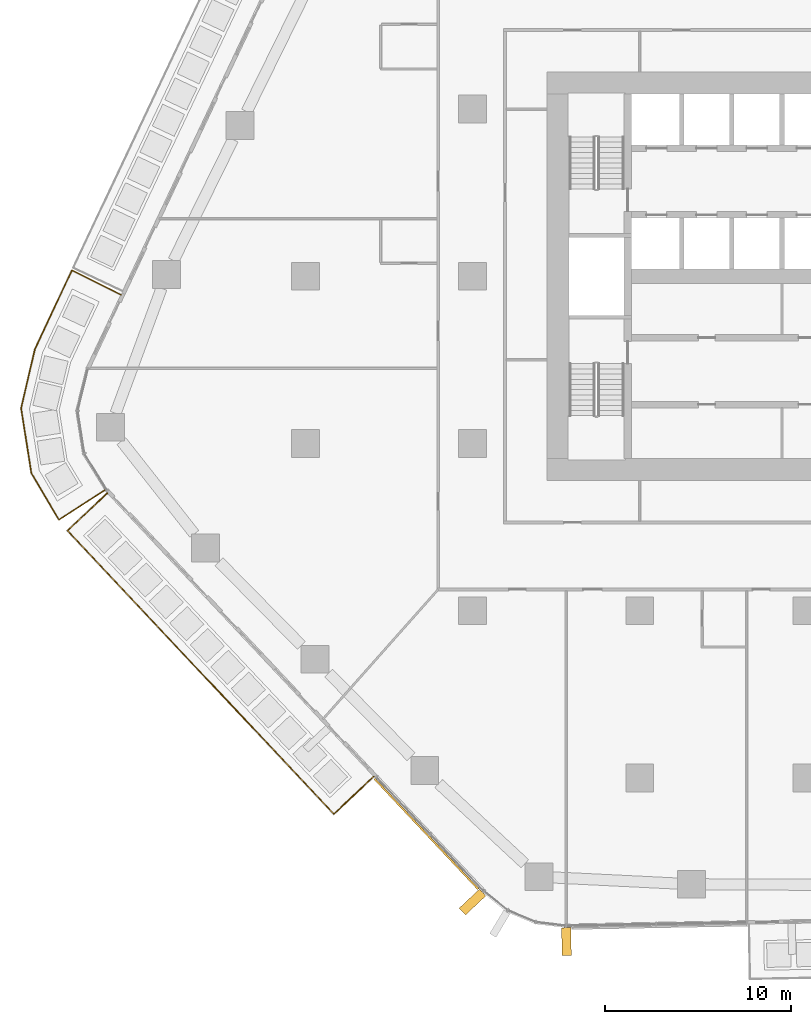
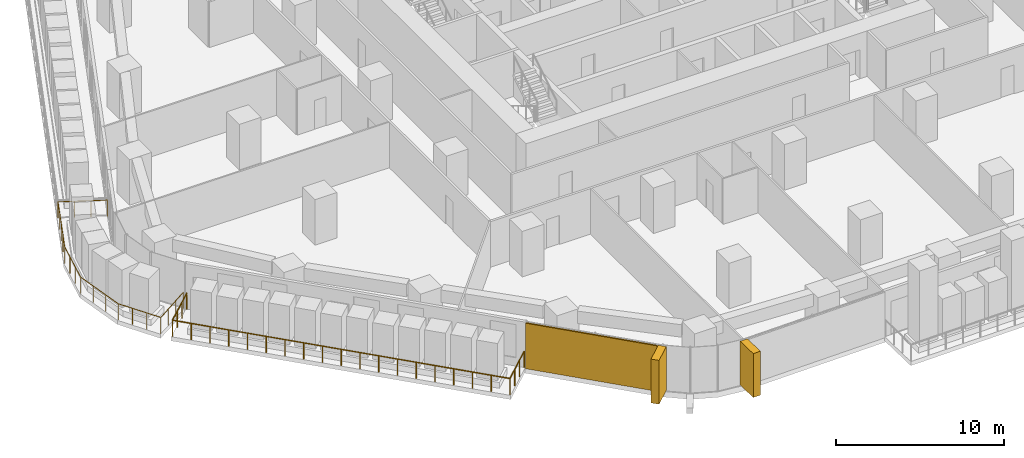
# One storey, part 19 of 25: 3 coverings, 2 railings, 2 elements without a shape of their own.
"""IFC4 building model written with IfcOpenShell, lengths in metres."""

from ifc_helpers import new_model, si_unit, direction, frame, origin, origin_2d, place, context, subcontext, project, spatial, rectangle, circle, extrude, material, layer, layer_set, material_profile, profile_set, type_object, element, aggregate, save


model = new_model("IFC4")

# Units and contexts
model_context = context("Model", 3, precision=1e-05, world=origin(), true_north=direction((0.0, 1.0)))
body_context = subcontext(model_context, "Body", "Model", "MODEL_VIEW")
ifc_project = project(units=[si_unit("LENGTHUNIT", "METRE"), si_unit("AREAUNIT", "SQUARE_METRE"), si_unit("VOLUMEUNIT", "CUBIC_METRE"), si_unit("PLANEANGLEUNIT", "RADIAN"), si_unit("MASSUNIT", "GRAM", prefix="KILO")], contexts=[model_context])

# Site, building, storey
site_placement = place(None, origin())
site = spatial("IfcSite", under=ifc_project, at=site_placement, CompositionType="ELEMENT")
building_placement = place(site_placement, origin())
building = spatial("IfcBuilding", under=site, at=building_placement, Name="Dongbaek Canopy Tower", CompositionType="ELEMENT")
storey_placement = place(building_placement, frame((0.0, 0.0, 81.0)))
storey = spatial("IfcBuildingStorey", under=building, at=storey_placement, Name="L16", CompositionType="ELEMENT", Elevation=81.0)

# Railings
ifc_material_1 = material(Name="Stainless steel", Category="steel")
railing_type = type_object("IfcRailingType", Name="Balcony balustrade 1200", PredefinedType="BALUSTRADE", material=ifc_material_1)
railing_1_placement = place(storey_placement, frame((-36.931396484375, -0.9892578125, 0.0)))
element("IfcRailing", 1, at=railing_1_placement, inside=storey, type_object=railing_type, Name="Balcony guard L16 6", PredefinedType="BALUSTRADE", context=body_context, shape_type="SweptSolid", body=[
    extrude(circle(Radius=0.02392578125, at=origin_2d()), frame((0.0, 0.0, 1.17578125), z_axis=(-0.895272455453, 0.445519057401, 0.0), x_axis=(-0.445519057401, -0.895272455453, 0.0)), (0.0, 0.0, 1.0), 2.9404296875),
    extrude(circle(Radius=0.02392578125, at=origin_2d()), frame((-2.632568359375, 1.31005859375, 1.17578125), z_axis=(-0.424383310079, -0.90548263712, 0.0), x_axis=(0.90548263712, -0.424383310079, 0.0)), (0.0, 0.0, 1.0), 4.70068359375),
    extrude(circle(Radius=0.02392578125, at=origin_2d()), frame((-4.62744140625, -2.9462890625, 1.17578125), z_axis=(-0.226652672565, -0.973975649603, 0.0), x_axis=(0.973975649603, -0.226652672565, 0.0)), (0.0, 0.0, 1.0), 3.2509765625),
    extrude(circle(Radius=0.02392578125, at=origin_2d()), frame((-5.3642578125, -6.112548828125, 1.17578125), z_axis=(0.155983820068, -0.987759610369, 0.0), x_axis=(0.987759610369, 0.155983820068, 0.0)), (0.0, 0.0, 1.0), 3.54052734375),
    extrude(circle(Radius=0.02392578125, at=origin_2d()), frame((-4.81201171875, -9.609619140625, 1.17578125), z_axis=(0.510032467284, -0.860155150142, 0.0), x_axis=(0.860155150142, 0.510032467284, 0.0)), (0.0, 0.0, 1.0), 2.908447265625),
    extrude(circle(Radius=0.02392578125, at=origin_2d()), frame((-3.32861328125, -12.111328125, 1.17578125), z_axis=(0.838883418602, 0.544311133448, 0.0), x_axis=(-0.544311133448, 0.838883418602, 0.0)), (0.0, 0.0, 1.0), 2.940673828125),
    extrude(circle(Radius=0.02099609375, at=origin_2d()), origin(), (0.0, 0.0, 1.0), 1.15185546875),
    extrude(circle(Radius=0.02099609375, at=origin_2d()), frame((-0.87744140625, 0.436767578125, 0.0)), (0.0, 0.0, 1.0), 1.15185546875),
    extrude(circle(Radius=0.02099609375, at=origin_2d()), frame((-1.755126953125, 0.873291015625, 0.0)), (0.0, 0.0, 1.0), 1.15185546875),
    extrude(circle(Radius=0.02099609375, at=origin_2d()), frame((-2.632568359375, 1.31005859375, 0.0)), (0.0, 0.0, 1.0), 1.15185546875),
    extrude(circle(Radius=0.02099609375, at=origin_2d()), frame((-3.13134765625, 0.24609375, 0.0)), (0.0, 0.0, 1.0), 1.15185546875),
    extrude(circle(Radius=0.02099609375, at=origin_2d()), frame((-3.6298828125, -0.818115234375, 0.0)), (0.0, 0.0, 1.0), 1.15185546875),
    extrude(circle(Radius=0.02099609375, at=origin_2d()), frame((-4.128662109375, -1.88232421875, 0.0)), (0.0, 0.0, 1.0), 1.15185546875),
    extrude(circle(Radius=0.02099609375, at=origin_2d()), frame((-4.62744140625, -2.9462890625, 0.0)), (0.0, 0.0, 1.0), 1.15185546875),
    extrude(circle(Radius=0.02099609375, at=origin_2d()), frame((-4.873046875, -4.001708984375, 0.0)), (0.0, 0.0, 1.0), 1.15185546875),
    extrude(circle(Radius=0.02099609375, at=origin_2d()), frame((-5.11865234375, -5.05712890625, 0.0)), (0.0, 0.0, 1.0), 1.15185546875),
    extrude(circle(Radius=0.02099609375, at=origin_2d()), frame((-5.3642578125, -6.112548828125, 0.0)), (0.0, 0.0, 1.0), 1.15185546875),
    extrude(circle(Radius=0.02099609375, at=origin_2d()), frame((-5.18017578125, -7.2783203125, 0.0)), (0.0, 0.0, 1.0), 1.15185546875),
    extrude(circle(Radius=0.02099609375, at=origin_2d()), frame((-4.99609375, -8.44384765625, 0.0)), (0.0, 0.0, 1.0), 1.15185546875),
    extrude(circle(Radius=0.02099609375, at=origin_2d()), frame((-4.81201171875, -9.609619140625, 0.0)), (0.0, 0.0, 1.0), 1.15185546875),
    extrude(circle(Radius=0.02099609375, at=origin_2d()), frame((-4.317626953125, -10.443603515625, 0.0)), (0.0, 0.0, 1.0), 1.15185546875),
    extrude(circle(Radius=0.02099609375, at=origin_2d()), frame((-3.822998046875, -11.27734375, 0.0)), (0.0, 0.0, 1.0), 1.15185546875),
    extrude(circle(Radius=0.02099609375, at=origin_2d()), frame((-3.32861328125, -12.111328125, 0.0)), (0.0, 0.0, 1.0), 1.15185546875),
    extrude(circle(Radius=0.02099609375, at=origin_2d()), frame((-2.50634765625, -11.577880859375, 0.0)), (0.0, 0.0, 1.0), 1.15185546875),
    extrude(circle(Radius=0.02099609375, at=origin_2d()), frame((-1.68408203125, -11.044189453125, 0.0)), (0.0, 0.0, 1.0), 1.15185546875),
    extrude(circle(Radius=0.02099609375, at=origin_2d()), frame((-0.86181640625, -10.5107421875, 0.0)), (0.0, 0.0, 1.0), 1.15185546875),
])
railing_2_placement = place(storey_placement, frame((-37.659912109375, -11.673583984375, 0.0)))
element("IfcRailing", 2, at=railing_2_placement, inside=storey, type_object=railing_type, Name="Balcony guard L16 3", PredefinedType="BALUSTRADE", context=body_context, shape_type="SweptSolid", body=[
    extrude(circle(Radius=0.02392578125, at=origin_2d()), frame((0.0, 0.0, 1.17578125), z_axis=(-0.728609434347, -0.684929406713, 0.0), x_axis=(0.684929406713, -0.728609434347, 0.0)), (0.0, 0.0, 1.0), 2.93994140625),
    extrude(circle(Radius=0.02392578125, at=origin_2d()), frame((-2.14208984375, -2.013671875, 1.17578125), z_axis=(0.684957443554, -0.728583077295, 0.0), x_axis=(0.728583077295, 0.684957443554, 0.0)), (0.0, 0.0, 1.0), 20.929931640625),
    extrude(circle(Radius=0.02392578125, at=origin_2d()), frame((12.194091796875, -17.262939453125, 1.17578125), z_axis=(0.728567993652, 0.684973487535, 0.0), x_axis=(-0.684973487535, 0.728567993652, 0.0)), (0.0, 0.0, 1.0), 2.940185546875),
    extrude(circle(Radius=0.02099609375, at=origin_2d()), origin(), (0.0, 0.0, 1.0), 1.15185546875),
    extrude(circle(Radius=0.02099609375, at=origin_2d()), frame((-0.714111328125, -0.671142578125, 0.0)), (0.0, 0.0, 1.0), 1.15185546875),
    extrude(circle(Radius=0.02099609375, at=origin_2d()), frame((-1.427978515625, -1.342529296875, 0.0)), (0.0, 0.0, 1.0), 1.15185546875),
    extrude(circle(Radius=0.02099609375, at=origin_2d()), frame((-2.14208984375, -2.013671875, 0.0)), (0.0, 0.0, 1.0), 1.15185546875),
    extrude(circle(Radius=0.02099609375, at=origin_2d()), frame((-1.345703125, -2.86083984375, 0.0)), (0.0, 0.0, 1.0), 1.15185546875),
    extrude(circle(Radius=0.02099609375, at=origin_2d()), frame((-0.549072265625, -3.7080078125, 0.0)), (0.0, 0.0, 1.0), 1.15185546875),
    extrude(circle(Radius=0.02099609375, at=origin_2d()), frame((0.247314453125, -4.55517578125, 0.0)), (0.0, 0.0, 1.0), 1.15185546875),
    extrude(circle(Radius=0.02099609375, at=origin_2d()), frame((1.043701171875, -5.40234375, 0.0)), (0.0, 0.0, 1.0), 1.15185546875),
    extrude(circle(Radius=0.02099609375, at=origin_2d()), frame((1.840087890625, -6.24951171875, 0.0)), (0.0, 0.0, 1.0), 1.15185546875),
    extrude(circle(Radius=0.02099609375, at=origin_2d()), frame((2.63671875, -7.0966796875, 0.0)), (0.0, 0.0, 1.0), 1.15185546875),
    extrude(circle(Radius=0.02099609375, at=origin_2d()), frame((3.43310546875, -7.94384765625, 0.0)), (0.0, 0.0, 1.0), 1.15185546875),
    extrude(circle(Radius=0.02099609375, at=origin_2d()), frame((4.2294921875, -8.791015625, 0.0)), (0.0, 0.0, 1.0), 1.15185546875),
    extrude(circle(Radius=0.02099609375, at=origin_2d()), frame((5.02587890625, -9.63818359375, 0.0)), (0.0, 0.0, 1.0), 1.15185546875),
    extrude(circle(Radius=0.02099609375, at=origin_2d()), frame((5.822509765625, -10.485595703125, 0.0)), (0.0, 0.0, 1.0), 1.15185546875),
    extrude(circle(Radius=0.02099609375, at=origin_2d()), frame((6.618896484375, -11.332763671875, 0.0)), (0.0, 0.0, 1.0), 1.15185546875),
    extrude(circle(Radius=0.02099609375, at=origin_2d()), frame((7.415283203125, -12.179931640625, 0.0)), (0.0, 0.0, 1.0), 1.15185546875),
    extrude(circle(Radius=0.02099609375, at=origin_2d()), frame((8.2119140625, -13.027099609375, 0.0)), (0.0, 0.0, 1.0), 1.15185546875),
    extrude(circle(Radius=0.02099609375, at=origin_2d()), frame((9.00830078125, -13.874267578125, 0.0)), (0.0, 0.0, 1.0), 1.15185546875),
    extrude(circle(Radius=0.02099609375, at=origin_2d()), frame((9.8046875, -14.721435546875, 0.0)), (0.0, 0.0, 1.0), 1.15185546875),
    extrude(circle(Radius=0.02099609375, at=origin_2d()), frame((10.60107421875, -15.568603515625, 0.0)), (0.0, 0.0, 1.0), 1.15185546875),
    extrude(circle(Radius=0.02099609375, at=origin_2d()), frame((11.397705078125, -16.415771484375, 0.0)), (0.0, 0.0, 1.0), 1.15185546875),
    extrude(circle(Radius=0.02099609375, at=origin_2d()), frame((12.194091796875, -17.262939453125, 0.0)), (0.0, 0.0, 1.0), 1.15185546875),
    extrude(circle(Radius=0.02099609375, at=origin_2d()), frame((12.908203125, -16.591552734375, 0.0)), (0.0, 0.0, 1.0), 1.15185546875),
    extrude(circle(Radius=0.02099609375, at=origin_2d()), frame((13.6220703125, -15.92041015625, 0.0)), (0.0, 0.0, 1.0), 1.15185546875),
    extrude(circle(Radius=0.02099609375, at=origin_2d()), frame((14.336181640625, -15.2490234375, 0.0)), (0.0, 0.0, 1.0), 1.15185546875),
])

# Curtain wall, coverings
ifc_material_2 = material(Name="Aluminium 6063-T6 pale anodised", Category="aluminium")
ifc_layer_1 = layer(ifc_material_2, 0.199951171875)
ifc_layer_set_1 = layer_set([ifc_layer_1], Name="CW-1 unitised tower curtain wall")
curtain_wall_type = type_object("IfcCurtainWallType", Name="CW-1 unitised tower curtain wall", PredefinedType="NOTDEFINED", material=ifc_layer_set_1)
curtain_wall_1_placement = place(storey_placement, origin())
curtain_wall_1 = element("IfcCurtainWall", 3, at=curtain_wall_1_placement, inside=storey, type_object=curtain_wall_type, Name="CW-1 curtain wall F3.1", PredefinedType="NOTDEFINED")
ifc_material_3 = material(Name="Perforated aluminium 6063-T6 pale metal screen", Category="aluminium")
ifc_layer_2 = layer(ifc_material_3, 0.10009765625)
ifc_layer_set_2 = layer_set([ifc_layer_2], Name="Facet screen FS1 100 pale metal")
covering_type_1 = type_object("IfcCoveringType", Name="Facet screen FS1 100 pale metal", PredefinedType="CLADDING", material=ifc_layer_set_2)
covering_1_placement = place(storey_placement, frame((-20.486328125, -30.008056640625, 0.0), z_axis=(0.0, 0.0, 1.0), x_axis=(0.684955403651, -0.728584995048, 0.0)))
covering_1 = element("IfcCovering", 4, at=covering_1_placement, type_object=covering_type_1, Name="Facet screen L16 F3", PredefinedType="CLADDING", context=body_context, shape_type="SweptSolid", body=[
    extrude(rectangle(XDim=8.1630859375, YDim=0.10009765625, at=origin_2d()), origin(), (0.0, 0.0, 1.0), 3.300048828125),
])
ifc_material_4 = material(Name="Aluminium 6063-T6 pale metal fin", Category="aluminium")
ifc_material_profile = material_profile(ifc_material_4, rectangle(XDim=1.5, YDim=0.5, at=origin_2d()), Name="Fin FN1 500 x 1500 pale metal")
ifc_profile_set = profile_set([ifc_material_profile], Name="Aluminium 6063-T6 pale metal fin")
covering_type_2 = type_object("IfcCoveringType", Name="Fin FN1 500 x 1500 pale metal", PredefinedType="CLADDING", material=ifc_profile_set)
covering_2_placement = place(storey_placement, frame((-18.005126953125, -33.67529296875, 0.1201171875), z_axis=(0.0, 0.0, 1.0), x_axis=(-0.728584719372, -0.684955696886, 0.0)))
covering_2 = element("IfcCovering", 5, at=covering_2_placement, type_object=covering_type_2, Name="Fin F3.1.3", PredefinedType="CLADDING", context=body_context, shape_type="SweptSolid", body=[
    extrude(rectangle(XDim=1.5, YDim=0.5, at=origin_2d()), origin(), (0.0, 0.0, 1.0), 3.179931640625),
])
aggregate(curtain_wall_1, [covering_2, covering_1])

# Curtain wall, covering
curtain_wall_2_placement = place(storey_placement, origin())
curtain_wall_2 = element("IfcCurtainWall", 6, at=curtain_wall_2_placement, inside=storey, type_object=curtain_wall_type, Name="CW-1 curtain wall F4.1", PredefinedType="NOTDEFINED")
covering_3_placement = place(storey_placement, frame((-12.947509765625, -35.8056640625, 0.1201171875), z_axis=(0.0, 0.0, 1.0), x_axis=(0.018951731053, -0.999820399817, 0.0)))
covering_3 = element("IfcCovering", 7, at=covering_3_placement, type_object=covering_type_2, Name="Fin F4.1.1", PredefinedType="CLADDING", context=body_context, shape_type="SweptSolid", body=[
    extrude(rectangle(XDim=1.5, YDim=0.5, at=origin_2d()), origin(), (0.0, 0.0, 1.0), 3.179931640625),
])
aggregate(curtain_wall_2, [covering_3])

save(model, "model.ifc")
